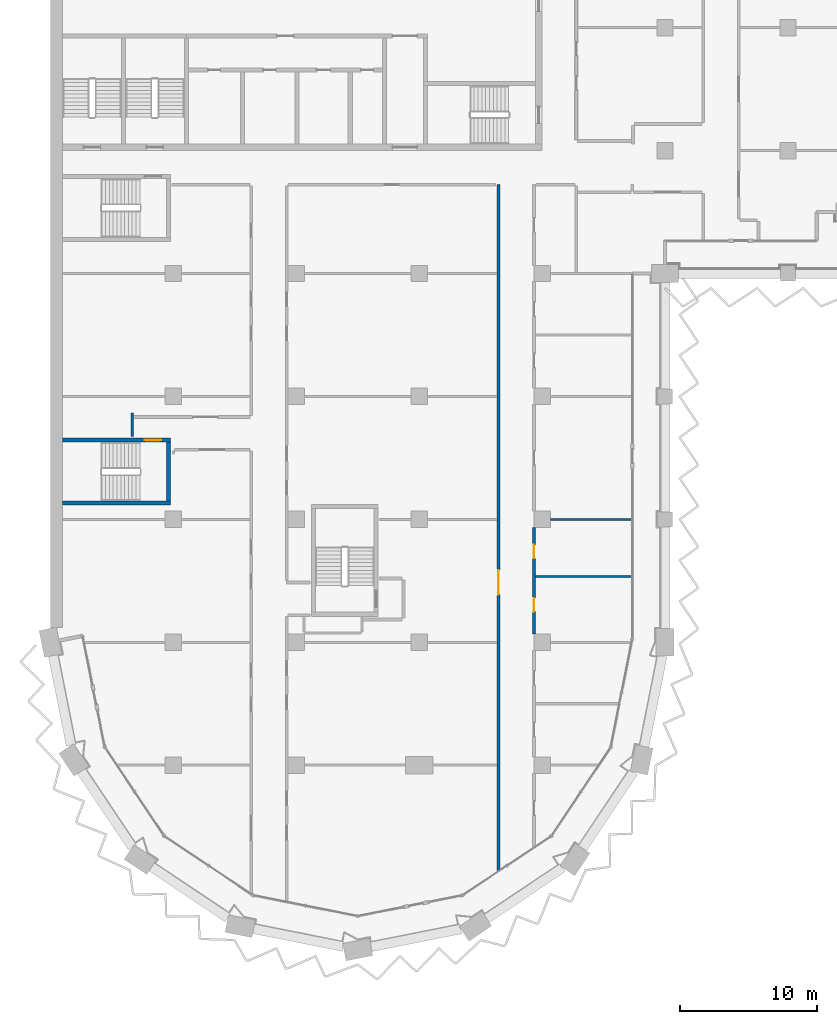
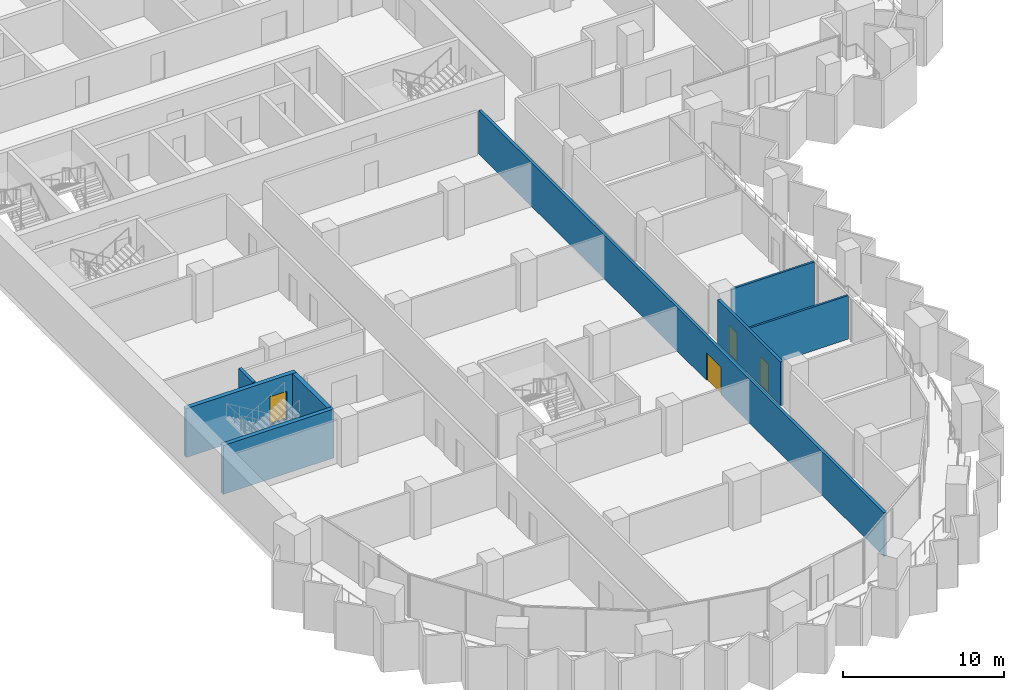
# One storey, part 9 of 22: 8 walls, 4 doors, 4 openings.
"""IFC4 building model written with IfcOpenShell, lengths in metres."""

from ifc_helpers import new_model, si_unit, direction, frame, frame_2d, origin, place, context, subcontext, project, spatial, rectangle, extrude, material, layer, layer_set, type_object, element, fill, save


model = new_model("IFC4")

# Units and contexts
model_context = context("Model", 3, precision=1e-05, world=origin(), true_north=direction((0.0, 1.0)))
body_context = subcontext(model_context, "Body", "Model", "MODEL_VIEW")
ifc_project = project(units=[si_unit("LENGTHUNIT", "METRE"), si_unit("AREAUNIT", "SQUARE_METRE"), si_unit("VOLUMEUNIT", "CUBIC_METRE"), si_unit("PLANEANGLEUNIT", "RADIAN"), si_unit("MASSUNIT", "GRAM", prefix="KILO")], contexts=[model_context])

# Site, building, storey
site_placement = place(None, origin())
site = spatial("IfcSite", under=ifc_project, at=site_placement, CompositionType="ELEMENT")
building_placement = place(site_placement, origin())
building = spatial("IfcBuilding", under=site, at=building_placement, Name="Hunhe Ridgeline Campus", CompositionType="ELEMENT")
storey_placement = place(building_placement, frame((0.0, 0.0, 137.5)))
storey = spatial("IfcBuildingStorey", under=building, at=storey_placement, Name="L34", CompositionType="ELEMENT", Elevation=137.5)

# Wall
ifc_material_1 = material(Name="Gypsum board partition")
ifc_layer_1 = layer(ifc_material_1, 0.199951171875)
ifc_layer_set_1 = layer_set([ifc_layer_1], Name="Corridor partition 200 gypsum board on steel studs")
wall_type_1 = type_object("IfcWallType", Name="Corridor partition 200 gypsum board on steel studs", PredefinedType="PARTITIONING", material=ifc_layer_set_1)
wall_1_placement = place(storey_placement, frame((6.0, 42.053955078125, 0.0), z_axis=(0.0, 0.0, 1.0), x_axis=(0.0, 1.0, 0.0)))
element("IfcWall", 1, at=wall_1_placement, inside=storey, type_object=wall_type_1, Name="F-L34-wall-059", PredefinedType="PARTITIONING", context=body_context, shape_type="SweptSolid", body=[
    extrude(rectangle(XDim=1.74609375, YDim=0.199951171875, at=frame_2d((0.873046875, 0.0))), origin(), (0.0, 0.0, 1.0), 3.300048828125),
])

# Wall, opening, door
wall_2_placement = place(storey_placement, frame((32.800048828125, 10.294189453125, 0.0), z_axis=(0.0, 0.0, 1.0), x_axis=(0.0, 1.0, 0.0)))
wall_2 = element("IfcWall", 2, at=wall_2_placement, inside=storey, type_object=wall_type_1, Name="F-L34-wall-068", PredefinedType="PARTITIONING", context=body_context, shape_type="SweptSolid", body=[
    extrude(rectangle(XDim=50.205810546875, YDim=0.199951171875, at=frame_2d((25.10302734375, 0.0))), origin(), (0.0, 0.0, 1.0), 3.300048828125),
])
opening_1_placement = place(wall_2_placement, frame((20.186279296875, 0.0, 0.0)))
opening_1 = element("IfcOpeningElement", 3, at=opening_1_placement, cuts=wall_2, Name="Opening RD2-012", PredefinedType="OPENING", context=body_context, shape_type="SweptSolid", body=[
    extrude(rectangle(XDim=1.800048828125, YDim=2.10009765625, at=frame_2d((0.89990234375, 1.050048828125))), frame((0.0, 0.10009765625, 0.0), z_axis=(0.0, -1.0, 0.0), x_axis=(1.0, 0.0, 0.0)), (0.0, 0.0, 1.0), 0.199951171875),
])
ifc_material_2 = material(Name="Timber door leaf", Category="wood")
door_type_1 = type_object("IfcDoorType", Name="Double fire door 1800x2100 timber FD60", OperationType="DOUBLE_DOOR_SINGLE_SWING", PredefinedType="DOOR", material=ifc_material_2)
door_1_placement = place(opening_1_placement, origin())
door_1 = element("IfcDoor", 4, at=door_1_placement, inside=storey, type_object=door_type_1, Name="F-L34-door-012", OperationType="DOUBLE_DOOR_SINGLE_SWING", OverallHeight=2.10009765625, OverallWidth=1.800048828125, PredefinedType="DOOR", context=body_context, shape_type="SweptSolid", body=[
    extrude(rectangle(XDim=1.800048828125, YDim=2.10009765625, at=frame_2d((0.89990234375, 1.050048828125))), frame((0.0, 0.02490234375, 0.0), z_axis=(0.0, -1.0, 0.0), x_axis=(1.0, 0.0, 0.0)), (0.0, 0.0, 1.0), 0.050048828125),
])
fill(opening_1, door_1)

# Wall, openings, doors
wall_3_placement = place(storey_placement, frame((35.39990234375, 35.39990234375, 0.0), z_axis=(0.0, 0.0, 1.0), x_axis=(0.0, -1.0, 0.0)))
wall_3 = element("IfcWall", 5, at=wall_3_placement, inside=storey, type_object=wall_type_1, Name="F-L34-wall-071", PredefinedType="PARTITIONING", context=body_context, shape_type="SweptSolid", body=[
    extrude(rectangle(XDim=7.7998046875, YDim=0.199951171875, at=frame_2d((3.89990234375, 0.0))), origin(), (0.0, 0.0, 1.0), 3.300048828125),
])
opening_2_placement = place(wall_3_placement, frame((5.161376953125, 0.0, 0.0)))
opening_2 = element("IfcOpeningElement", 6, at=opening_2_placement, cuts=wall_3, Name="Opening RD1-011", PredefinedType="OPENING", context=body_context, shape_type="SweptSolid", body=[
    extrude(rectangle(XDim=1.0, YDim=2.10009765625, at=frame_2d((0.5, 1.050048828125))), frame((0.0, 0.10009765625, 0.0), z_axis=(0.0, -1.0, 0.0), x_axis=(1.0, 0.0, 0.0)), (0.0, 0.0, 1.0), 0.199951171875),
])
opening_3_placement = place(wall_3_placement, frame((1.26123046875, 0.0, 0.0)))
opening_3 = element("IfcOpeningElement", 7, at=opening_3_placement, cuts=wall_3, Name="Opening RD1-014", PredefinedType="OPENING", context=body_context, shape_type="SweptSolid", body=[
    extrude(rectangle(XDim=1.0, YDim=2.10009765625, at=frame_2d((0.5, 1.050048828125))), frame((0.0, 0.10009765625, 0.0), z_axis=(0.0, -1.0, 0.0), x_axis=(1.0, 0.0, 0.0)), (0.0, 0.0, 1.0), 0.199951171875),
])
door_type_2 = type_object("IfcDoorType", Name="Single fire door 1000x2100 timber FD60", OperationType="NOTDEFINED", PredefinedType="DOOR", material=ifc_material_2)
door_2_placement = place(opening_2_placement, origin())
door_2 = element("IfcDoor", 8, at=door_2_placement, inside=storey, type_object=door_type_2, Name="F-L34-door-011", OperationType="SINGLE_SWING_LEFT", OverallHeight=2.10009765625, OverallWidth=1.0, PredefinedType="DOOR", context=body_context, shape_type="SweptSolid", body=[
    extrude(rectangle(XDim=1.0, YDim=2.10009765625, at=frame_2d((0.5, 1.050048828125))), frame((0.0, 0.02490234375, 0.0), z_axis=(0.0, -1.0, 0.0), x_axis=(1.0, 0.0, 0.0)), (0.0, 0.0, 1.0), 0.050048828125),
])
fill(opening_2, door_2)
door_3_placement = place(opening_3_placement, origin())
door_3 = element("IfcDoor", 9, at=door_3_placement, inside=storey, type_object=door_type_2, Name="F-L34-door-014", OperationType="SINGLE_SWING_LEFT", OverallHeight=2.10009765625, OverallWidth=1.0, PredefinedType="DOOR", context=body_context, shape_type="SweptSolid", body=[
    extrude(rectangle(XDim=1.0, YDim=2.10009765625, at=frame_2d((0.5, 1.050048828125))), frame((0.0, 0.02490234375, 0.0), z_axis=(0.0, -1.0, 0.0), x_axis=(1.0, 0.0, 0.0)), (0.0, 0.0, 1.0), 0.050048828125),
])
fill(opening_3, door_3)

# Walls
ifc_layer_2 = layer(ifc_material_1, 0.14990234375)
ifc_layer_set_2 = layer_set([ifc_layer_2], Name="Room partition 150 gypsum board on steel studs")
wall_type_2 = type_object("IfcWallType", Name="Room partition 150 gypsum board on steel studs", PredefinedType="PARTITIONING", material=ifc_layer_set_2)
wall_4_placement = place(storey_placement, frame((35.5, 31.800048828125, 0.0), z_axis=(0.0, 0.0, 1.0), x_axis=(1.0, 0.0, 0.0)))
element("IfcWall", 10, at=wall_4_placement, inside=storey, type_object=wall_type_2, Name="F-L34-wall-017", PredefinedType="PARTITIONING", context=body_context, shape_type="SweptSolid", body=[
    extrude(rectangle(XDim=7.044921875, YDim=0.14990234375, at=frame_2d((3.5224609375, 0.0))), origin(), (0.0, 0.0, 1.0), 3.300048828125),
])
wall_5_placement = place(storey_placement, frame((36.60009765625, 36.0, 0.0), z_axis=(0.0, 0.0, 1.0), x_axis=(1.0, 0.0, 0.0)))
element("IfcWall", 11, at=wall_5_placement, inside=storey, type_object=wall_type_2, Name="F-L34-wall-022", PredefinedType="PARTITIONING", context=body_context, shape_type="SweptSolid", body=[
    extrude(rectangle(XDim=5.94482421875, YDim=0.14990234375, at=frame_2d((2.972412109375, 0.0))), origin(), (0.0, 0.0, 1.0), 3.300048828125),
])
ifc_material_3 = material(Name="Concrete C70", Category="concrete")
ifc_layer_3 = layer(ifc_material_3, 0.300048828125)
ifc_layer_set_3 = layer_set([ifc_layer_3], Name="Stair wall 300 reinforced concrete C70")
wall_type_3 = type_object("IfcWallType", Name="Stair wall 300 reinforced concrete C70", PredefinedType="SOLIDWALL", material=ifc_layer_set_3)
wall_6_placement = place(storey_placement, frame((0.89990234375, 37.199951171875, -0.39990234375), z_axis=(0.0, 0.0, 1.0), x_axis=(1.0, 0.0, 0.0)))
element("IfcWall", 12, at=wall_6_placement, inside=storey, type_object=wall_type_3, Name="L34 core wall 3", PredefinedType="SOLIDWALL", context=body_context, shape_type="SweptSolid", body=[
    extrude(rectangle(XDim=7.900146484375, YDim=0.300048828125, at=frame_2d((3.9501953125, 0.0))), origin(), (0.0, 0.0, 1.0), 3.699951171875),
])

# Wall, opening, door
wall_7_placement = place(storey_placement, frame((0.89990234375, 41.800048828125, -0.39990234375), z_axis=(0.0, 0.0, 1.0), x_axis=(1.0, 0.0, 0.0)))
wall_7 = element("IfcWall", 13, at=wall_7_placement, inside=storey, type_object=wall_type_3, Name="L34 core wall 4", PredefinedType="SOLIDWALL", context=body_context, shape_type="SweptSolid", body=[
    extrude(rectangle(XDim=7.900146484375, YDim=0.300048828125, at=frame_2d((3.9501953125, 0.0))), origin(), (0.0, 0.0, 1.0), 3.699951171875),
])
opening_4_placement = place(wall_7_placement, frame((6.0, 0.0, 0.39990234375)))
opening_4 = element("IfcOpeningElement", 14, at=opening_4_placement, cuts=wall_7, Name="Opening CD21", PredefinedType="OPENING", context=body_context, shape_type="SweptSolid", body=[
    extrude(rectangle(XDim=1.199951171875, YDim=2.10009765625, at=frame_2d((0.60009765625, 1.050048828125))), frame((0.0, 0.14990234375, 0.0), z_axis=(0.0, -1.0, 0.0), x_axis=(1.0, 0.0, 0.0)), (0.0, 0.0, 1.0), 0.300048828125),
])
ifc_material_4 = material(Name="Hollow metal fire door leaf")
door_type_3 = type_object("IfcDoorType", Name="Stair door 1200x2100 FD60", OperationType="SINGLE_SWING_LEFT", PredefinedType="DOOR", material=ifc_material_4)
door_4_placement = place(opening_4_placement, origin())
door_4 = element("IfcDoor", 15, at=door_4_placement, inside=storey, type_object=door_type_3, Name="L34 door W1", OperationType="SINGLE_SWING_LEFT", OverallHeight=2.10009765625, OverallWidth=1.199951171875, PredefinedType="DOOR", context=body_context, shape_type="SweptSolid", body=[
    extrude(rectangle(XDim=1.199951171875, YDim=2.10009765625, at=frame_2d((0.60009765625, 1.050048828125))), frame((0.0, 0.02490234375, 0.0), z_axis=(0.0, -1.0, 0.0), x_axis=(1.0, 0.0, 0.0)), (0.0, 0.0, 1.0), 0.050048828125),
])
fill(opening_4, door_4)

# Wall
wall_8_placement = place(storey_placement, frame((8.64990234375, 37.35009765625, -0.39990234375), z_axis=(0.0, 0.0, 1.0), x_axis=(0.0, 1.0, 0.0)))
element("IfcWall", 16, at=wall_8_placement, inside=storey, type_object=wall_type_3, Name="L34 core wall 36", PredefinedType="SOLIDWALL", context=body_context, shape_type="SweptSolid", body=[
    extrude(rectangle(XDim=4.2998046875, YDim=0.300048828125, at=frame_2d((2.14990234375, 0.0))), origin(), (0.0, 0.0, 1.0), 3.699951171875),
])

save(model, "model.ifc")
